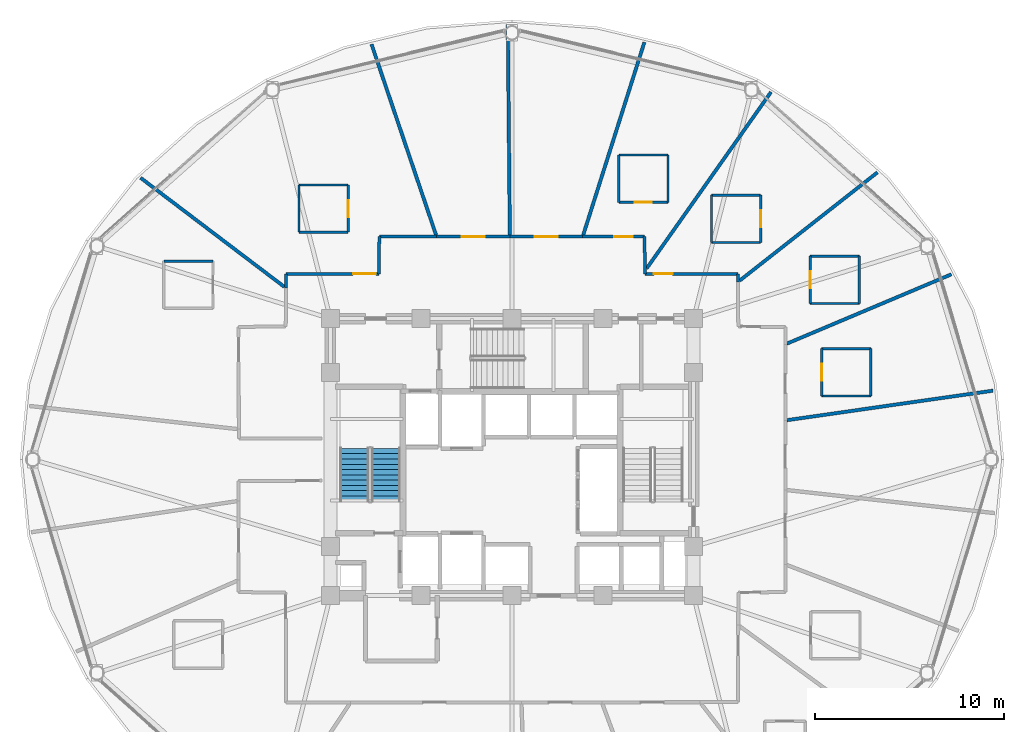
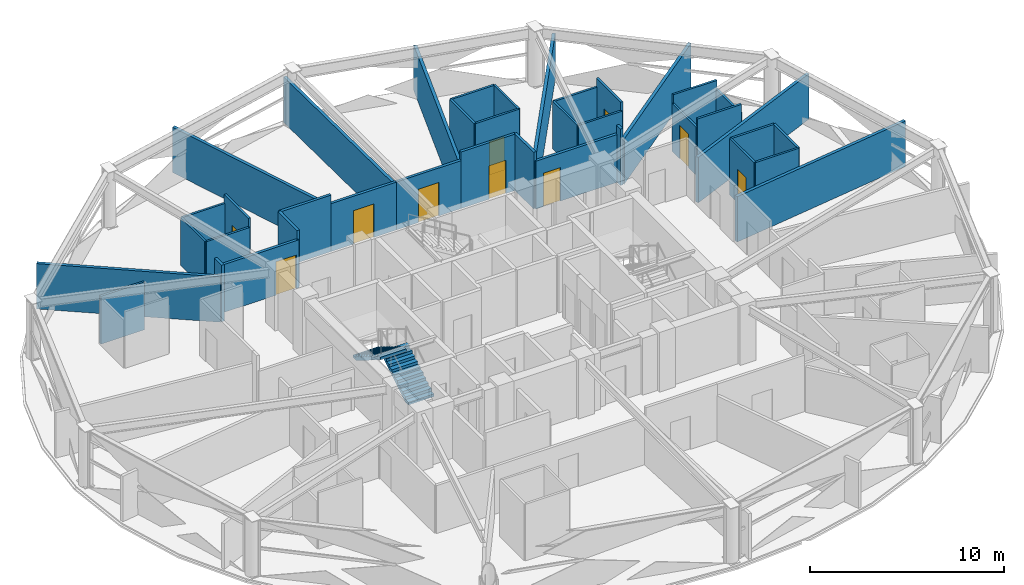
# One storey, part 26 of 31: 39 walls, 10 doors, 2 stair flights, 10 openings, 1 element without a shape of its own.
"""IFC4 building model written with IfcOpenShell, lengths in metres."""

from ifc_helpers import new_model, si_unit, direction, frame, frame_2d, origin, place, context, subcontext, project, spatial, polyline, rectangle, outline, extrude, material, layer, layer_set, type_object, element, fill, aggregate, save


model = new_model("IFC4")

# Units and contexts
model_context = context("Model", 3, precision=1e-05, world=origin(), true_north=direction((0.0, 1.0)))
body_context = subcontext(model_context, "Body", "Model", "MODEL_VIEW")
ifc_project = project(units=[si_unit("LENGTHUNIT", "METRE"), si_unit("AREAUNIT", "SQUARE_METRE"), si_unit("VOLUMEUNIT", "CUBIC_METRE"), si_unit("PLANEANGLEUNIT", "RADIAN"), si_unit("MASSUNIT", "GRAM", prefix="KILO")], contexts=[model_context])

# Site, building, storey
site_placement = place(None, origin())
site = spatial("IfcSite", under=ifc_project, at=site_placement, CompositionType="ELEMENT")
building_placement = place(site_placement, origin())
building = spatial("IfcBuilding", under=site, at=building_placement, Name="Vantalir Tower", CompositionType="ELEMENT")
storey_placement = place(building_placement, frame((0.0, 0.0, 123.449951171875)))
storey = spatial("IfcBuildingStorey", under=building, at=storey_placement, Name="L30", CompositionType="ELEMENT", Elevation=123.449951171875)

# Walls
ifc_material_1 = material(Name="Moisture-resistant en-suite partition", Category="gypsum")
ifc_layer_1 = layer(ifc_material_1, 0.125)
ifc_layer_set_1 = layer_set([ifc_layer_1], Name="Moisture-resistant en-suite partition")
wall_type_1 = type_object("IfcWallType", Name="WL-BATH-125", PredefinedType="PARTITIONING", material=ifc_layer_set_1)
for number, where, z_axis, x_axis, name in (
    (1, (47.873046875, 28.363037109375, 0.0), (0.0, 0.0, 1.0), (1.0, 0.0, 0.0), "L30 En-suite 01 South Wall"),
    (2, (47.873046875, 30.863037109375, 0.0), (0.0, 0.0, 1.0), (1.0, 0.0, 0.0), "L30 En-suite 01 North Wall"),
):
    element("IfcWall", number, at=place(storey_placement, frame(where, z_axis=z_axis, x_axis=x_axis)), inside=storey, type_object=wall_type_1, Name=name, PredefinedType="PARTITIONING", context=body_context, shape_type="SweptSolid", body=[
        extrude(rectangle(XDim=2.599853515625, YDim=0.125, at=frame_2d((1.2998046875, 0.0))), origin(), (0.0, 0.0, 1.0), 3.550048828125),
    ])

# Wall, opening, door
wall_1_placement = place(storey_placement, frame((47.873046875, 28.363037109375, 0.0), z_axis=(0.0, 0.0, 1.0), x_axis=(0.0, 1.0, 0.0)))
wall_1 = element("IfcWall", 3, at=wall_1_placement, inside=storey, type_object=wall_type_1, Name="L30 En-suite 01 West Wall", PredefinedType="PARTITIONING", context=body_context, shape_type="SweptSolid", body=[
    extrude(rectangle(XDim=2.5, YDim=0.125, at=frame_2d((1.25, 0.0))), origin(), (0.0, 0.0, 1.0), 3.550048828125),
])
opening_1_placement = place(wall_1_placement, frame((0.800048828125, 0.0, 0.0)))
opening_1 = element("IfcOpeningElement", 4, at=opening_1_placement, cuts=wall_1, Name="Opening D-WC", PredefinedType="OPENING", context=body_context, shape_type="SweptSolid", body=[
    extrude(rectangle(XDim=0.89990234375, YDim=2.10009765625, at=frame_2d((0.449951171875, 1.050048828125))), frame((0.0, 0.072509765625, 0.0), z_axis=(0.0, -1.0, 0.0), x_axis=(1.0, 0.0, 0.0)), (0.0, 0.0, 1.0), 0.14501953125),
])
ifc_material_2 = material(Name="Moisture-resistant hardwood door", Category="wood")
door_type_1 = type_object("IfcDoorType", Name="DR-ENSUITE-900", OperationType="NOTDEFINED", PredefinedType="DOOR", material=ifc_material_2)
door_1_placement = place(opening_1_placement, frame((0.89990234375, 0.0, 0.0), z_axis=(0.0, 0.0, 1.0), x_axis=(-1.0, 0.0, 0.0)))
door_1 = element("IfcDoor", 5, at=door_1_placement, inside=storey, type_object=door_type_1, Name="L30 En-suite 01 Door", OperationType="SINGLE_SWING_RIGHT", OverallHeight=2.10009765625, OverallWidth=0.89990234375, PredefinedType="DOOR", context=body_context, shape_type="SweptSolid", body=[
    extrude(rectangle(XDim=0.89990234375, YDim=2.10009765625, at=frame_2d((0.449951171875, 1.050048828125))), frame((0.0, 0.02490234375, 0.0), z_axis=(0.0, -1.0, 0.0), x_axis=(1.0, 0.0, 0.0)), (0.0, 0.0, 1.0), 0.050048828125),
])
fill(opening_1, door_1)

# Walls
wall_2_placement = place(storey_placement, frame((50.472900390625, 28.363037109375, 0.0), z_axis=(0.0, 0.0, 1.0), x_axis=(0.0, 1.0, 0.0)))
element("IfcWall", 6, at=wall_2_placement, inside=storey, type_object=wall_type_1, Name="L30 En-suite 01 East Wall", PredefinedType="PARTITIONING", context=body_context, shape_type="SweptSolid", body=[
    extrude(rectangle(XDim=2.5, YDim=0.125, at=frame_2d((1.25, 0.0))), origin(), (0.0, 0.0, 1.0), 3.550048828125),
])
for number, where, z_axis, x_axis, name in (
    (7, (47.26806640625, 33.25390625, 0.0), (0.0, 0.0, 1.0), (1.0, 0.0, 0.0), "L30 En-suite 02 South Wall"),
    (8, (47.26806640625, 35.75390625, 0.0), (0.0, 0.0, 1.0), (1.0, 0.0, 0.0), "L30 En-suite 02 North Wall"),
):
    element("IfcWall", number, at=place(storey_placement, frame(where, z_axis=z_axis, x_axis=x_axis)), inside=storey, type_object=wall_type_1, Name=name, PredefinedType="PARTITIONING", context=body_context, shape_type="SweptSolid", body=[
        extrude(rectangle(XDim=2.599853515625, YDim=0.125, at=frame_2d((1.2998046875, 0.0))), origin(), (0.0, 0.0, 1.0), 3.550048828125),
    ])

# Wall, opening, door
wall_3_placement = place(storey_placement, frame((47.26806640625, 33.25390625, 0.0), z_axis=(0.0, 0.0, 1.0), x_axis=(0.0, 1.0, 0.0)))
wall_3 = element("IfcWall", 9, at=wall_3_placement, inside=storey, type_object=wall_type_1, Name="L30 En-suite 02 West Wall", PredefinedType="PARTITIONING", context=body_context, shape_type="SweptSolid", body=[
    extrude(rectangle(XDim=2.5, YDim=0.125, at=frame_2d((1.25, 0.0))), origin(), (0.0, 0.0, 1.0), 3.006103515625),
])
opening_2_placement = place(wall_3_placement, frame((0.800048828125, 0.0, 0.0)))
opening_2 = element("IfcOpeningElement", 10, at=opening_2_placement, cuts=wall_3, Name="Opening D-WC", PredefinedType="OPENING", context=body_context, shape_type="SweptSolid", body=[
    extrude(rectangle(XDim=0.89990234375, YDim=2.10009765625, at=frame_2d((0.449951171875, 1.050048828125))), frame((0.0, 0.072509765625, 0.0), z_axis=(0.0, -1.0, 0.0), x_axis=(1.0, 0.0, 0.0)), (0.0, 0.0, 1.0), 0.14501953125),
])
door_2_placement = place(opening_2_placement, frame((0.89990234375, 0.0, 0.0), z_axis=(0.0, 0.0, 1.0), x_axis=(-1.0, 0.0, 0.0)))
door_2 = element("IfcDoor", 11, at=door_2_placement, inside=storey, type_object=door_type_1, Name="L30 En-suite 02 Door", OperationType="SINGLE_SWING_LEFT", OverallHeight=2.10009765625, OverallWidth=0.89990234375, PredefinedType="DOOR", context=body_context, shape_type="SweptSolid", body=[
    extrude(rectangle(XDim=0.89990234375, YDim=2.10009765625, at=frame_2d((0.449951171875, 1.050048828125))), frame((0.0, 0.02490234375, 0.0), z_axis=(0.0, -1.0, 0.0), x_axis=(1.0, 0.0, 0.0)), (0.0, 0.0, 1.0), 0.050048828125),
])
fill(opening_2, door_2)

# Walls
wall_4_placement = place(storey_placement, frame((49.867919921875, 33.25390625, 0.0), z_axis=(0.0, 0.0, 1.0), x_axis=(0.0, 1.0, 0.0)))
element("IfcWall", 12, at=wall_4_placement, inside=storey, type_object=wall_type_1, Name="L30 En-suite 02 East Wall", PredefinedType="PARTITIONING", context=body_context, shape_type="SweptSolid", body=[
    extrude(rectangle(XDim=2.5, YDim=0.125, at=frame_2d((1.25, 0.0))), origin(), (0.0, 0.0, 1.0), 3.006103515625),
])
for number, where, z_axis, x_axis, name in (
    (13, (42.047119140625, 36.47705078125, 0.0), (0.0, 0.0, 1.0), (1.0, 0.0, 0.0), "L30 En-suite 03 South Wall"),
    (14, (42.047119140625, 38.97705078125, 0.0), (0.0, 0.0, 1.0), (1.0, 0.0, 0.0), "L30 En-suite 03 North Wall"),
):
    element("IfcWall", number, at=place(storey_placement, frame(where, z_axis=z_axis, x_axis=x_axis)), inside=storey, type_object=wall_type_1, Name=name, PredefinedType="PARTITIONING", context=body_context, shape_type="SweptSolid", body=[
        extrude(rectangle(XDim=2.599853515625, YDim=0.125, at=frame_2d((1.2998046875, 0.0))), origin(), (0.0, 0.0, 1.0), 3.006103515625),
    ])
wall_5_placement = place(storey_placement, frame((42.047119140625, 36.47705078125, 0.0), z_axis=(0.0, 0.0, 1.0), x_axis=(0.0, 1.0, 0.0)))
element("IfcWall", 15, at=wall_5_placement, inside=storey, type_object=wall_type_1, Name="L30 En-suite 03 West Wall", PredefinedType="PARTITIONING", context=body_context, shape_type="SweptSolid", body=[
    extrude(rectangle(XDim=2.5, YDim=0.125, at=frame_2d((1.25, 0.0))), origin(), (0.0, 0.0, 1.0), 3.006103515625),
])

# Wall, opening, door
wall_6_placement = place(storey_placement, frame((44.64697265625, 36.47705078125, 0.0), z_axis=(0.0, 0.0, 1.0), x_axis=(0.0, 1.0, 0.0)))
wall_6 = element("IfcWall", 16, at=wall_6_placement, inside=storey, type_object=wall_type_1, Name="L30 En-suite 03 East Wall", PredefinedType="PARTITIONING", context=body_context, shape_type="SweptSolid", body=[
    extrude(rectangle(XDim=2.5, YDim=0.125, at=frame_2d((1.25, 0.0))), origin(), (0.0, 0.0, 1.0), 3.550048828125),
])
opening_3_placement = place(wall_6_placement, frame((0.800048828125, 0.0, 0.0)))
opening_3 = element("IfcOpeningElement", 17, at=opening_3_placement, cuts=wall_6, Name="Opening D-WC", PredefinedType="OPENING", context=body_context, shape_type="SweptSolid", body=[
    extrude(rectangle(XDim=0.89990234375, YDim=2.10009765625, at=frame_2d((0.449951171875, 1.050048828125))), frame((0.0, 0.072509765625, 0.0), z_axis=(0.0, -1.0, 0.0), x_axis=(1.0, 0.0, 0.0)), (0.0, 0.0, 1.0), 0.14501953125),
])
door_3_placement = place(opening_3_placement, origin())
door_3 = element("IfcDoor", 18, at=door_3_placement, inside=storey, type_object=door_type_1, Name="L30 En-suite 03 Door", OperationType="SINGLE_SWING_RIGHT", OverallHeight=2.10009765625, OverallWidth=0.89990234375, PredefinedType="DOOR", context=body_context, shape_type="SweptSolid", body=[
    extrude(rectangle(XDim=0.89990234375, YDim=2.10009765625, at=frame_2d((0.449951171875, 1.050048828125))), frame((0.0, 0.02490234375, 0.0), z_axis=(0.0, -1.0, 0.0), x_axis=(1.0, 0.0, 0.0)), (0.0, 0.0, 1.0), 0.050048828125),
])
fill(opening_3, door_3)

wall_7_placement = place(storey_placement, frame((37.152099609375, 38.60107421875, 0.0), z_axis=(0.0, 0.0, 1.0), x_axis=(1.0, 0.0, 0.0)))
wall_7 = element("IfcWall", 19, at=wall_7_placement, inside=storey, type_object=wall_type_1, Name="L30 En-suite 04 South Wall", PredefinedType="PARTITIONING", context=body_context, shape_type="SweptSolid", body=[
    extrude(rectangle(XDim=2.599853515625, YDim=0.125, at=frame_2d((1.2998046875, 0.0))), origin(), (0.0, 0.0, 1.0), 3.550048828125),
])
opening_4_placement = place(wall_7_placement, frame((0.85009765625, 0.0, 0.0)))
opening_4 = element("IfcOpeningElement", 20, at=opening_4_placement, cuts=wall_7, Name="Opening D-WC", PredefinedType="OPENING", context=body_context, shape_type="SweptSolid", body=[
    extrude(rectangle(XDim=0.89990234375, YDim=2.10009765625, at=frame_2d((0.449951171875, 1.050048828125))), frame((0.0, 0.072509765625, 0.0), z_axis=(0.0, -1.0, 0.0), x_axis=(1.0, 0.0, 0.0)), (0.0, 0.0, 1.0), 0.14501953125),
])
door_4_placement = place(opening_4_placement, origin())
door_4 = element("IfcDoor", 21, at=door_4_placement, inside=storey, type_object=door_type_1, Name="L30 En-suite 04 Door", OperationType="SINGLE_SWING_LEFT", OverallHeight=2.10009765625, OverallWidth=0.89990234375, PredefinedType="DOOR", context=body_context, shape_type="SweptSolid", body=[
    extrude(rectangle(XDim=0.89990234375, YDim=2.10009765625, at=frame_2d((0.449951171875, 1.050048828125))), frame((0.0, 0.02490234375, 0.0), z_axis=(0.0, -1.0, 0.0), x_axis=(1.0, 0.0, 0.0)), (0.0, 0.0, 1.0), 0.050048828125),
])
fill(opening_4, door_4)

# Walls
wall_8_placement = place(storey_placement, frame((37.152099609375, 41.10107421875, 0.0), z_axis=(0.0, 0.0, 1.0), x_axis=(1.0, 0.0, 0.0)))
element("IfcWall", 22, at=wall_8_placement, inside=storey, type_object=wall_type_1, Name="L30 En-suite 04 North Wall", PredefinedType="PARTITIONING", context=body_context, shape_type="SweptSolid", body=[
    extrude(rectangle(XDim=2.599853515625, YDim=0.125, at=frame_2d((1.2998046875, 0.0))), origin(), (0.0, 0.0, 1.0), 3.550048828125),
])
for number, where, z_axis, x_axis, name in (
    (23, (37.152099609375, 38.60107421875, 0.0), (0.0, 0.0, 1.0), (0.0, 1.0, 0.0), "L30 En-suite 04 West Wall"),
    (24, (39.751953125, 38.60107421875, 0.0), (0.0, 0.0, 1.0), (0.0, 1.0, 0.0), "L30 En-suite 04 East Wall"),
):
    element("IfcWall", number, at=place(storey_placement, frame(where, z_axis=z_axis, x_axis=x_axis)), inside=storey, type_object=wall_type_1, Name=name, PredefinedType="PARTITIONING", context=body_context, shape_type="SweptSolid", body=[
        extrude(rectangle(XDim=2.5, YDim=0.125, at=frame_2d((1.25, 0.0))), origin(), (0.0, 0.0, 1.0), 3.550048828125),
    ])
for number, where, z_axis, x_axis, name in (
    (25, (20.239013671875, 37.02001953125, 0.0), (0.0, 0.0, 1.0), (1.0, 0.0, 0.0), "L30 En-suite 07 South Wall"),
    (26, (20.239013671875, 39.52001953125, 0.0), (0.0, 0.0, 1.0), (1.0, 0.0, 0.0), "L30 En-suite 07 North Wall"),
):
    element("IfcWall", number, at=place(storey_placement, frame(where, z_axis=z_axis, x_axis=x_axis)), inside=storey, type_object=wall_type_1, Name=name, PredefinedType="PARTITIONING", context=body_context, shape_type="SweptSolid", body=[
        extrude(rectangle(XDim=2.60009765625, YDim=0.125, at=frame_2d((1.300048828125, 0.0))), origin(), (0.0, 0.0, 1.0), 3.006103515625),
    ])
wall_9_placement = place(storey_placement, frame((20.239013671875, 37.02001953125, 0.0), z_axis=(0.0, 0.0, 1.0), x_axis=(0.0, 1.0, 0.0)))
element("IfcWall", 27, at=wall_9_placement, inside=storey, type_object=wall_type_1, Name="L30 En-suite 07 West Wall", PredefinedType="PARTITIONING", context=body_context, shape_type="SweptSolid", body=[
    extrude(rectangle(XDim=2.5, YDim=0.125, at=frame_2d((1.25, 0.0))), origin(), (0.0, 0.0, 1.0), 3.006103515625),
])

# Wall, opening, door
wall_10_placement = place(storey_placement, frame((22.839111328125, 37.02001953125, 0.0), z_axis=(0.0, 0.0, 1.0), x_axis=(0.0, 1.0, 0.0)))
wall_10 = element("IfcWall", 28, at=wall_10_placement, inside=storey, type_object=wall_type_1, Name="L30 En-suite 07 East Wall", PredefinedType="PARTITIONING", context=body_context, shape_type="SweptSolid", body=[
    extrude(rectangle(XDim=2.5, YDim=0.125, at=frame_2d((1.25, 0.0))), origin(), (0.0, 0.0, 1.0), 3.550048828125),
])
opening_5_placement = place(wall_10_placement, frame((0.800048828125, 0.0, 0.0)))
opening_5 = element("IfcOpeningElement", 29, at=opening_5_placement, cuts=wall_10, Name="Opening D-WC", PredefinedType="OPENING", context=body_context, shape_type="SweptSolid", body=[
    extrude(rectangle(XDim=0.89990234375, YDim=2.10009765625, at=frame_2d((0.449951171875, 1.050048828125))), frame((0.0, 0.072509765625, 0.0), z_axis=(0.0, -1.0, 0.0), x_axis=(1.0, 0.0, 0.0)), (0.0, 0.0, 1.0), 0.14501953125),
])
door_5_placement = place(opening_5_placement, origin())
door_5 = element("IfcDoor", 30, at=door_5_placement, inside=storey, type_object=door_type_1, Name="L30 En-suite 07 Door", OperationType="SINGLE_SWING_RIGHT", OverallHeight=2.10009765625, OverallWidth=0.89990234375, PredefinedType="DOOR", context=body_context, shape_type="SweptSolid", body=[
    extrude(rectangle(XDim=0.89990234375, YDim=2.10009765625, at=frame_2d((0.449951171875, 1.050048828125))), frame((0.0, 0.02490234375, 0.0), z_axis=(0.0, -1.0, 0.0), x_axis=(1.0, 0.0, 0.0)), (0.0, 0.0, 1.0), 0.050048828125),
])
fill(opening_5, door_5)

# Walls
wall_11_placement = place(storey_placement, frame((13.090087890625, 35.493896484375, 0.0), z_axis=(0.0, 0.0, 1.0), x_axis=(1.0, 0.0, 0.0)))
element("IfcWall", 31, at=wall_11_placement, inside=storey, type_object=wall_type_1, Name="L30 En-suite 08 North Wall", PredefinedType="PARTITIONING", context=body_context, shape_type="SweptSolid", body=[
    extrude(rectangle(XDim=2.599853515625, YDim=0.125, at=frame_2d((1.2998046875, 0.0))), origin(), (0.0, 0.0, 1.0), 3.006103515625),
])
ifc_material_3 = material(Name="Fire-rated hotel corridor acoustic partition", Category="gypsum")
ifc_layer_2 = layer(ifc_material_3, 0.159912109375)
ifc_layer_set_2 = layer_set([ifc_layer_2], Name="Fire-rated hotel corridor acoustic partition")
wall_type_2 = type_object("IfcWallType", Name="WL-CORR-160", PredefinedType="PARTITIONING", material=ifc_layer_set_2)
wall_12_placement = place(storey_placement, frame((19.552978515625, 34.06201171875, 0.0), z_axis=(0.0, 0.0, 1.0), x_axis=(0.009439683565, 0.999955445195, 0.0)))
element("IfcWall", 32, at=wall_12_placement, inside=storey, type_object=wall_type_2, Name="L30 Corridor Partition 06", PredefinedType="PARTITIONING", context=body_context, shape_type="SweptSolid", body=[
    extrude(rectangle(XDim=0.75, YDim=0.159912109375, at=frame_2d((0.375, 0.0))), origin(), (0.0, 0.0, 1.0), 3.550048828125),
])

# Wall, opening, door
wall_13_placement = place(storey_placement, frame((19.56005859375, 34.81201171875, 0.0), z_axis=(0.0, 0.0, 1.0), x_axis=(0.999999821253, 0.000597907217, 0.0)))
wall_13 = element("IfcWall", 33, at=wall_13_placement, inside=storey, type_object=wall_type_2, Name="L30 Corridor Partition 07", PredefinedType="PARTITIONING", context=body_context, shape_type="SweptSolid", body=[
    extrude(rectangle(XDim=4.89990234375, YDim=0.159912109375, at=frame_2d((2.449951171875, 0.0))), origin(), (0.0, 0.0, 1.0), 3.006103515625),
])
opening_6_placement = place(wall_13_placement, frame((3.5400390625, 0.0, 0.0)))
opening_6 = element("IfcOpeningElement", 34, at=opening_6_placement, cuts=wall_13, Name="Opening D-STE", PredefinedType="OPENING", context=body_context, shape_type="SweptSolid", body=[
    extrude(rectangle(XDim=1.199951171875, YDim=2.10009765625, at=frame_2d((0.60009765625, 1.050048828125))), frame((0.0, 0.08984375, 0.0), z_axis=(0.0, -1.0, 0.0), x_axis=(1.0, 0.0, 0.0)), (0.0, 0.0, 1.0), 0.179931640625),
])
ifc_material_4 = material(Name="Solid-core teak veneer suite entrance door", Category="wood")
door_type_2 = type_object("IfcDoorType", Name="DR-SUITE-ENTRY-1200", OperationType="NOTDEFINED", PredefinedType="DOOR", material=ifc_material_4)
door_6_placement = place(opening_6_placement, origin())
door_6 = element("IfcDoor", 35, at=door_6_placement, inside=storey, type_object=door_type_2, Name="L30 Executive Club Hotel Suite 07 Door", OperationType="SINGLE_SWING_RIGHT", OverallHeight=2.10009765625, OverallWidth=1.199951171875, PredefinedType="DOOR", context=body_context, shape_type="SweptSolid", body=[
    extrude(rectangle(XDim=1.199951171875, YDim=2.10009765625, at=frame_2d((0.60009765625, 1.050048828125))), frame((0.0, 0.02490234375, 0.0), z_axis=(0.0, -1.0, 0.0), x_axis=(1.0, 0.0, 0.0)), (0.0, 0.0, 1.0), 0.050048828125),
])
fill(opening_6, door_6)

# Walls
wall_14_placement = place(storey_placement, frame((24.4599609375, 34.81494140625, 0.0), z_axis=(0.0, 0.0, 1.0), x_axis=(0.012749644486, 0.99991871998, 0.0)))
element("IfcWall", 36, at=wall_14_placement, inside=storey, type_object=wall_type_2, Name="L30 Corridor Partition 08", PredefinedType="PARTITIONING", context=body_context, shape_type="SweptSolid", body=[
    extrude(rectangle(XDim=1.972412109375, YDim=0.159912109375, at=frame_2d((0.986328125, 0.0))), origin(), (0.0, 0.0, 1.0), 3.550048828125),
])
wall_15_placement = place(storey_placement, frame((24.485107421875, 36.787109375, 0.0), z_axis=(0.0, 0.0, 1.0), x_axis=(0.999999947988, 0.000322528608, 0.0)))
element("IfcWall", 37, at=wall_15_placement, inside=storey, type_object=wall_type_2, Name="L30 Corridor Partition 09", PredefinedType="PARTITIONING", context=body_context, shape_type="SweptSolid", body=[
    extrude(rectangle(XDim=3.02783203125, YDim=0.159912109375, at=frame_2d((1.513916015625, 0.0))), origin(), (0.0, 0.0, 1.0), 3.550048828125),
])

# Wall, opening, door
wall_16_placement = place(storey_placement, frame((27.512939453125, 36.7880859375, 0.0), z_axis=(0.0, 0.0, 1.0), x_axis=(1.0, 0.0, 0.0)))
wall_16 = element("IfcWall", 38, at=wall_16_placement, inside=storey, type_object=wall_type_2, Name="L30 Corridor Partition 10", PredefinedType="PARTITIONING", context=body_context, shape_type="SweptSolid", body=[
    extrude(rectangle(XDim=3.873046875, YDim=0.159912109375, at=frame_2d((1.9365234375, 0.0))), origin(), (0.0, 0.0, 1.0), 3.006103515625),
])
opening_7_placement = place(wall_16_placement, frame((1.3359375, 0.0, 0.0)))
opening_7 = element("IfcOpeningElement", 39, at=opening_7_placement, cuts=wall_16, Name="Opening D-STE", PredefinedType="OPENING", context=body_context, shape_type="SweptSolid", body=[
    extrude(rectangle(XDim=1.199951171875, YDim=2.10009765625, at=frame_2d((0.60009765625, 1.050048828125))), frame((0.0, 0.08984375, 0.0), z_axis=(0.0, -1.0, 0.0), x_axis=(1.0, 0.0, 0.0)), (0.0, 0.0, 1.0), 0.179931640625),
])
door_7_placement = place(opening_7_placement, origin())
door_7 = element("IfcDoor", 40, at=door_7_placement, inside=storey, type_object=door_type_2, Name="L30 Executive Sky Boardroom 06 Door", OperationType="SINGLE_SWING_LEFT", OverallHeight=2.10009765625, OverallWidth=1.199951171875, PredefinedType="DOOR", context=body_context, shape_type="SweptSolid", body=[
    extrude(rectangle(XDim=1.199951171875, YDim=2.10009765625, at=frame_2d((0.60009765625, 1.050048828125))), frame((0.0, 0.02490234375, 0.0), z_axis=(0.0, -1.0, 0.0), x_axis=(1.0, 0.0, 0.0)), (0.0, 0.0, 1.0), 0.050048828125),
])
fill(opening_7, door_7)

wall_17_placement = place(storey_placement, frame((31.385986328125, 36.7880859375, 0.0), z_axis=(0.0, 0.0, 1.0), x_axis=(0.999999967897, 0.000253389071, 0.0)))
wall_17 = element("IfcWall", 41, at=wall_17_placement, inside=storey, type_object=wall_type_2, Name="L30 Corridor Partition 11", PredefinedType="PARTITIONING", context=body_context, shape_type="SweptSolid", body=[
    extrude(rectangle(XDim=3.85400390625, YDim=0.159912109375, at=frame_2d((1.927001953125, 0.0))), origin(), (0.0, 0.0, 1.0), 3.006103515625),
])
opening_8_placement = place(wall_17_placement, frame((1.326904296875, 0.0, 0.0)))
opening_8 = element("IfcOpeningElement", 42, at=opening_8_placement, cuts=wall_17, Name="Opening D-STE", PredefinedType="OPENING", context=body_context, shape_type="SweptSolid", body=[
    extrude(rectangle(XDim=1.199951171875, YDim=2.10009765625, at=frame_2d((0.60009765625, 1.050048828125))), frame((0.0, 0.08984375, 0.0), z_axis=(0.0, -1.0, 0.0), x_axis=(1.0, 0.0, 0.0)), (0.0, 0.0, 1.0), 0.179931640625),
])
door_8_placement = place(opening_8_placement, origin())
door_8 = element("IfcDoor", 43, at=door_8_placement, inside=storey, type_object=door_type_2, Name="L30 Club Reading Lounge 05 Door", OperationType="SINGLE_SWING_RIGHT", OverallHeight=2.10009765625, OverallWidth=1.199951171875, PredefinedType="DOOR", context=body_context, shape_type="SweptSolid", body=[
    extrude(rectangle(XDim=1.199951171875, YDim=2.10009765625, at=frame_2d((0.60009765625, 1.050048828125))), frame((0.0, 0.02490234375, 0.0), z_axis=(0.0, -1.0, 0.0), x_axis=(1.0, 0.0, 0.0)), (0.0, 0.0, 1.0), 0.050048828125),
])
fill(opening_8, door_8)

wall_18_placement = place(storey_placement, frame((35.239990234375, 36.7890625, 0.0), z_axis=(0.0, 0.0, 1.0), x_axis=(0.99999995524, 0.000299199628, 0.0)))
wall_18 = element("IfcWall", 44, at=wall_18_placement, inside=storey, type_object=wall_type_2, Name="L30 Corridor Partition 12", PredefinedType="PARTITIONING", context=body_context, shape_type="SweptSolid", body=[
    extrude(rectangle(XDim=3.263916015625, YDim=0.159912109375, at=frame_2d((1.6318359375, 0.0))), origin(), (0.0, 0.0, 1.0), 3.550048828125),
])
opening_9_placement = place(wall_18_placement, frame((1.655029296875, 0.0, 0.0)))
opening_9 = element("IfcOpeningElement", 45, at=opening_9_placement, cuts=wall_18, Name="Opening D-GUEST", PredefinedType="OPENING", context=body_context, shape_type="SweptSolid", body=[
    extrude(rectangle(XDim=1.0, YDim=2.10009765625, at=frame_2d((0.5, 1.050048828125))), frame((0.0, 0.08984375, 0.0), z_axis=(0.0, -1.0, 0.0), x_axis=(1.0, 0.0, 0.0)), (0.0, 0.0, 1.0), 0.179931640625),
])
ifc_material_5 = material(Name="Solid-core teak veneer acoustic fire door", Category="wood")
door_type_3 = type_object("IfcDoorType", Name="DR-GUEST-ENTRY-1000", OperationType="NOTDEFINED", PredefinedType="DOOR", material=ifc_material_5)
door_9_placement = place(opening_9_placement, origin())
door_9 = element("IfcDoor", 46, at=door_9_placement, inside=storey, type_object=door_type_3, Name="L30 Twin Queen Hotel Room 04 Door", OperationType="SINGLE_SWING_LEFT", OverallHeight=2.10009765625, OverallWidth=1.0, PredefinedType="DOOR", context=body_context, shape_type="SweptSolid", body=[
    extrude(rectangle(XDim=1.0, YDim=2.10009765625, at=frame_2d((0.5, 1.050048828125))), frame((0.0, 0.02490234375, 0.0), z_axis=(0.0, -1.0, 0.0), x_axis=(1.0, 0.0, 0.0)), (0.0, 0.0, 1.0), 0.050048828125),
])
fill(opening_9, door_9)

# Wall
wall_19_placement = place(storey_placement, frame((38.50390625, 36.7900390625, 0.0), z_axis=(0.0, 0.0, 1.0), x_axis=(0.018291129801, -0.999832703291, 0.0)))
element("IfcWall", 47, at=wall_19_placement, inside=storey, type_object=wall_type_2, Name="L30 Corridor Partition 13", PredefinedType="PARTITIONING", context=body_context, shape_type="SweptSolid", body=[
    extrude(rectangle(XDim=1.975341796875, YDim=0.159912109375, at=frame_2d((0.98779296875, 0.0))), origin(), (0.0, 0.0, 1.0), 3.550048828125),
])

# Wall, opening, door
wall_20_placement = place(storey_placement, frame((38.5400390625, 34.81494140625, 0.0), z_axis=(0.0, 0.0, 1.0), x_axis=(0.999999029632, -0.001393102783, 0.0)))
wall_20 = element("IfcWall", 48, at=wall_20_placement, inside=storey, type_object=wall_type_2, Name="L30 Corridor Partition 14", PredefinedType="PARTITIONING", context=body_context, shape_type="SweptSolid", body=[
    extrude(rectangle(XDim=4.906982421875, YDim=0.159912109375, at=frame_2d((2.45361328125, 0.0))), origin(), (0.0, 0.0, 1.0), 3.006103515625),
])
opening_10_placement = place(wall_20_placement, frame((0.458984375, 0.0, 0.0)))
opening_10 = element("IfcOpeningElement", 49, at=opening_10_placement, cuts=wall_20, Name="Opening D-GUEST", PredefinedType="OPENING", context=body_context, shape_type="SweptSolid", body=[
    extrude(rectangle(XDim=1.0, YDim=2.10009765625, at=frame_2d((0.5, 1.050048828125))), frame((0.0, 0.08984375, 0.0), z_axis=(0.0, -1.0, 0.0), x_axis=(1.0, 0.0, 0.0)), (0.0, 0.0, 1.0), 0.179931640625),
])
door_10_placement = place(opening_10_placement, origin())
door_10 = element("IfcDoor", 50, at=door_10_placement, inside=storey, type_object=door_type_3, Name="L30 Deluxe King Hotel Room 03 Door", OperationType="SINGLE_SWING_RIGHT", OverallHeight=2.10009765625, OverallWidth=1.0, PredefinedType="DOOR", context=body_context, shape_type="SweptSolid", body=[
    extrude(rectangle(XDim=1.0, YDim=2.10009765625, at=frame_2d((0.5, 1.050048828125))), frame((0.0, 0.02490234375, 0.0), z_axis=(0.0, -1.0, 0.0), x_axis=(1.0, 0.0, 0.0)), (0.0, 0.0, 1.0), 0.050048828125),
])
fill(opening_10, door_10)

# Walls
wall_21_placement = place(storey_placement, frame((43.447021484375, 34.80810546875, 0.0), z_axis=(0.0, 0.0, 1.0), x_axis=(0.00700508206, -0.999975464112, 0.0)))
element("IfcWall", 51, at=wall_21_placement, inside=storey, type_object=wall_type_2, Name="L30 Corridor Partition 15", PredefinedType="PARTITIONING", context=body_context, shape_type="SweptSolid", body=[
    extrude(rectangle(XDim=0.418212890625, YDim=0.159912109375, at=frame_2d((0.208984375, 0.0))), origin(), (0.0, 0.0, 1.0), 3.550048828125),
])
ifc_material_6 = material(Name="Twin-stud acoustic fire-rated gypsum partition", Category="gypsum")
ifc_layer_3 = layer(ifc_material_6, 0.179931640625)
ifc_layer_set_3 = layer_set([ifc_layer_3], Name="Twin-stud acoustic fire-rated gypsum partition")
wall_type_3 = type_object("IfcWallType", Name="WL-GUEST-180", PredefinedType="PARTITIONING", material=ifc_layer_set_3)
wall_22_placement = place(storey_placement, frame((46.030029296875, 27.080078125, 0.0), z_axis=(0.0, 0.0, 1.0), x_axis=(0.989905557569, 0.141728568376, 0.0)))
element("IfcWall", 52, at=wall_22_placement, inside=storey, type_object=wall_type_3, Name="L30 Radial Suite Partition 01", PredefinedType="PARTITIONING", context=body_context, shape_type="SweptSolid", body=[
    extrude(rectangle(XDim=11.01416015625, YDim=0.179931640625, at=frame_2d((5.507080078125, 0.0))), origin(), (0.0, 0.0, 1.0), 2.85107421875),
])
wall_23_placement = place(storey_placement, frame((46.030029296875, 31.125, 0.0), z_axis=(0.0, 0.0, 1.0), x_axis=(0.921504883915, 0.388366771133, 0.0)))
element("IfcWall", 53, at=wall_23_placement, inside=storey, type_object=wall_type_3, Name="L30 Radial Suite Partition 02", PredefinedType="PARTITIONING", context=body_context, shape_type="SweptSolid", body=[
    extrude(rectangle(XDim=9.442138671875, YDim=0.179931640625, at=frame_2d((4.72119140625, 0.0))), origin(), (0.0, 0.0, 1.0), 2.85107421875),
])
wall_24_placement = place(storey_placement, frame((43.5400390625, 34.4609375, 0.0), z_axis=(0.0, 0.0, 1.0), x_axis=(0.786310104609, 0.617832031697, 0.0)))
element("IfcWall", 54, at=wall_24_placement, inside=storey, type_object=wall_type_3, Name="L30 Radial Suite Partition 03", PredefinedType="PARTITIONING", context=body_context, shape_type="SweptSolid", body=[
    extrude(rectangle(XDim=9.259765625, YDim=0.179931640625, at=frame_2d((4.6298828125, 0.0))), origin(), (0.0, 0.0, 1.0), 2.85107421875),
])
wall_25_placement = place(storey_placement, frame((38.614990234375, 35.095947265625, 0.0), z_axis=(0.0, 0.0, 1.0), x_axis=(0.5760989648, 0.817379950058, 0.0)))
element("IfcWall", 55, at=wall_25_placement, inside=storey, type_object=wall_type_3, Name="L30 Radial Suite Partition 04", PredefinedType="PARTITIONING", context=body_context, shape_type="SweptSolid", body=[
    extrude(rectangle(XDim=11.421875, YDim=0.179931640625, at=frame_2d((5.7109375, 0.0))), origin(), (0.0, 0.0, 1.0), 2.85107421875),
])
wall_26_placement = place(storey_placement, frame((35.263916015625, 36.864990234375, 0.0), z_axis=(0.0, 0.0, 1.0), x_axis=(0.302379392366, 0.953187653651, 0.0)))
element("IfcWall", 56, at=wall_26_placement, inside=storey, type_object=wall_type_3, Name="L30 Radial Suite Partition 05", PredefinedType="PARTITIONING", context=body_context, shape_type="SweptSolid", body=[
    extrude(rectangle(XDim=10.69873046875, YDim=0.179931640625, at=frame_2d((5.349365234375, 0.0))), origin(), (0.0, 0.0, 1.0), 2.85107421875),
])
wall_27_placement = place(storey_placement, frame((31.385986328125, 36.864990234375, 0.0), z_axis=(0.0, 0.0, 1.0), x_axis=(-0.009692314611, 0.999953028416, 0.0)))
element("IfcWall", 57, at=wall_27_placement, inside=storey, type_object=wall_type_3, Name="L30 Radial Suite Partition 06", PredefinedType="PARTITIONING", context=body_context, shape_type="SweptSolid", body=[
    extrude(rectangle(XDim=11.133544921875, YDim=0.179931640625, at=frame_2d((5.56689453125, 0.0))), origin(), (0.0, 0.0, 1.0), 2.85107421875),
])
wall_28_placement = place(storey_placement, frame((27.487060546875, 36.864990234375, 0.0), z_axis=(0.0, 0.0, 1.0), x_axis=(-0.320423527142, 0.947274386466, 0.0)))
element("IfcWall", 58, at=wall_28_placement, inside=storey, type_object=wall_type_3, Name="L30 Radial Suite Partition 07", PredefinedType="PARTITIONING", context=body_context, shape_type="SweptSolid", body=[
    extrude(rectangle(XDim=10.657958984375, YDim=0.179931640625, at=frame_2d((5.3291015625, 0.0))), origin(), (0.0, 0.0, 1.0), 2.85107421875),
])
wall_29_placement = place(storey_placement, frame((19.4599609375, 34.133056640625, 0.0), z_axis=(0.0, 0.0, 1.0), x_axis=(-0.796766486919, 0.604287320173, 0.0)))
element("IfcWall", 59, at=wall_29_placement, inside=storey, type_object=wall_type_3, Name="L30 Radial Suite Partition 08", PredefinedType="PARTITIONING", context=body_context, shape_type="SweptSolid", body=[
    extrude(rectangle(XDim=9.538330078125, YDim=0.179931640625, at=frame_2d((4.76904296875, 0.0))), origin(), (0.0, 0.0, 1.0), 2.85107421875),
])

# Stair, stair flights
ifc_material_7 = material(Name="Concrete C40/50", Category="concrete")
stair_type = type_object("IfcStairType", Name="STR-CORE-1450", PredefinedType="HALF_TURN_STAIR", material=ifc_material_7)
stair_placement = place(storey_placement, origin())
stair = element("IfcStair", 60, at=stair_placement, inside=storey, type_object=stair_type, Name="L30 Core Exit Stair 1", PredefinedType="HALF_TURN_STAIR")
stair_flight_type = type_object("IfcStairFlightType", Name="FLT-CORE-1450", PredefinedType="STRAIGHT", material=ifc_material_7)
stair_flight_1_placement = place(storey_placement, frame((24.830078125, 22.7900390625, 0.0), z_axis=(0.0, 0.0, 1.0), x_axis=(0.0, 1.0, 0.0)))
stair_flight_1 = element("IfcStairFlight", 61, at=stair_flight_1_placement, type_object=stair_flight_type, Name="ST1 flight 1", NumberOfRisers=11, NumberOfTreads=10, PredefinedType="STRAIGHT", RiserHeight=0.170454545, TreadLength=0.28, context=body_context, shape_type="SweptSolid", body=[
    extrude(outline(polyline([(0.0, 0.0), (0.0, 0.17041015625), (0.280029296875, 0.17041015625), (0.280029296875, 0.3408203125), (0.56005859375, 0.3408203125), (0.56005859375, 0.511474609375), (0.840087890625, 0.511474609375), (0.840087890625, 0.681884765625), (1.1201171875, 0.681884765625), (1.1201171875, 0.852294921875), (1.39990234375, 0.852294921875), (1.39990234375, 1.022705078125), (1.679931640625, 1.022705078125), (1.679931640625, 1.193115234375), (1.9599609375, 1.193115234375), (1.9599609375, 1.363525390625), (2.239990234375, 1.363525390625), (2.239990234375, 1.5341796875), (2.52001953125, 1.5341796875), (2.52001953125, 1.70458984375), (2.800048828125, 1.70458984375), (2.800048828125, 1.875), (2.800048828125, 1.529052734375), (0.288330078125, 0.0), (0.0, 0.0)])), frame((0.0, 0.77001953125, 0.0), z_axis=(0.0, -1.0, 0.0), x_axis=(1.0, 0.0, 0.0)), (0.0, 0.0, 1.0), 1.5400390625),
])
stair_flight_2_placement = place(storey_placement, frame((23.169921875, 25.590087890625, 1.875), z_axis=(0.0, 0.0, 1.0), x_axis=(0.0, -1.0, 0.0)))
stair_flight_2 = element("IfcStairFlight", 62, at=stair_flight_2_placement, type_object=stair_flight_type, Name="ST1 flight 2", NumberOfRisers=11, NumberOfTreads=10, PredefinedType="STRAIGHT", RiserHeight=0.170454545, TreadLength=0.28, context=body_context, shape_type="SweptSolid", body=[
    extrude(outline(polyline([(0.0, 0.0), (0.0, 0.17041015625), (0.280029296875, 0.17041015625), (0.280029296875, 0.3408203125), (0.56005859375, 0.3408203125), (0.56005859375, 0.511474609375), (0.840087890625, 0.511474609375), (0.840087890625, 0.681884765625), (1.1201171875, 0.681884765625), (1.1201171875, 0.852294921875), (1.39990234375, 0.852294921875), (1.39990234375, 1.022705078125), (1.679931640625, 1.022705078125), (1.679931640625, 1.193115234375), (1.9599609375, 1.193115234375), (1.9599609375, 1.363525390625), (2.239990234375, 1.363525390625), (2.239990234375, 1.5341796875), (2.52001953125, 1.5341796875), (2.52001953125, 1.70458984375), (2.800048828125, 1.70458984375), (2.800048828125, 1.875), (2.800048828125, 1.529052734375), (0.288330078125, 0.0), (0.0, 0.0)])), frame((0.0, 0.77001953125, 0.0), z_axis=(0.0, -1.0, 0.0), x_axis=(1.0, 0.0, 0.0)), (0.0, 0.0, 1.0), 1.5400390625),
])
aggregate(stair, [stair_flight_1, stair_flight_2])

save(model, "model.ifc")
